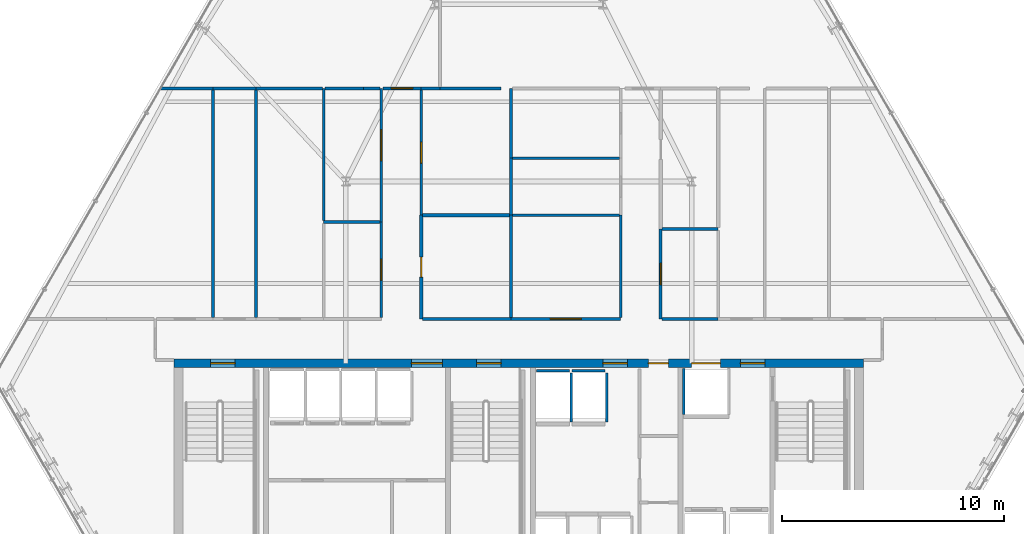
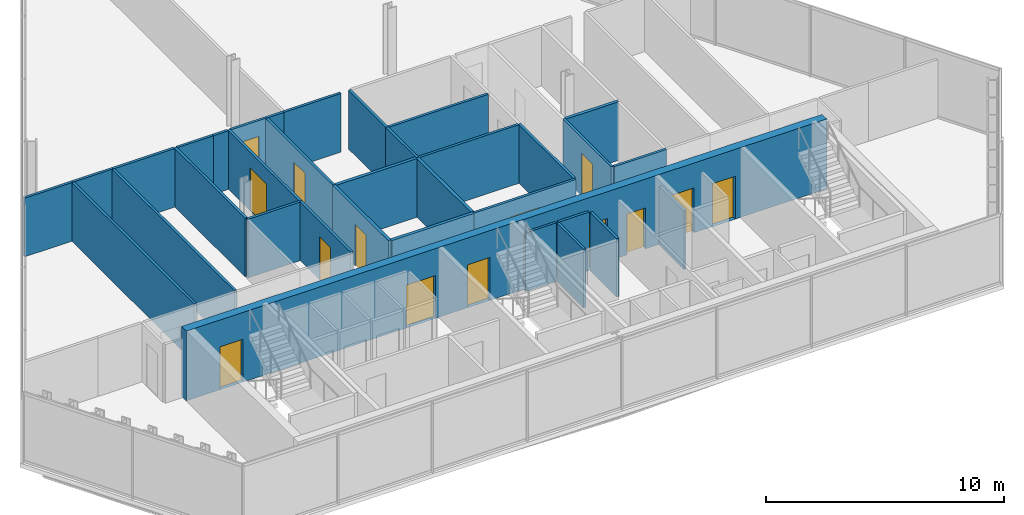
# One storey, part 28 of 33: 34 walls, 14 doors, 14 openings.
"""IFC4 building model written with IfcOpenShell, lengths in metres."""

from ifc_helpers import new_model, si_unit, direction, frame, frame_2d, origin, place, context, subcontext, project, spatial, rectangle, extrude, material, layer, layer_set, type_object, element, fill, save


model = new_model("IFC4")

# Units and contexts
model_context = context("Model", 3, precision=1e-05, world=origin(), true_north=direction((0.0, 1.0)))
body_context = subcontext(model_context, "Body", "Model", "MODEL_VIEW")
ifc_project = project(units=[si_unit("LENGTHUNIT", "METRE"), si_unit("AREAUNIT", "SQUARE_METRE"), si_unit("VOLUMEUNIT", "CUBIC_METRE"), si_unit("PLANEANGLEUNIT", "RADIAN"), si_unit("MASSUNIT", "GRAM", prefix="KILO")], contexts=[model_context])

# Site, building, storey
site_placement = place(None, origin())
site = spatial("IfcSite", under=ifc_project, at=site_placement, CompositionType="ELEMENT")
building_placement = place(site_placement, origin())
building = spatial("IfcBuilding", under=site, at=building_placement, Name="Ndaravel Arena Tower", CompositionType="ELEMENT")
storey_placement = place(building_placement, frame((0.0, 0.0, 165.0)))
storey = spatial("IfcBuildingStorey", under=building, at=storey_placement, Name="L39", CompositionType="ELEMENT", Elevation=165.0)

# Wall, openings, doors
ifc_material_1 = material(Name="Concrete C50/60", Category="concrete")
ifc_layer_1 = layer(ifc_material_1, 0.39990234375)
ifc_layer_set_1 = layer_set([ifc_layer_1], Name="Concrete C50/60")
wall_type_1 = type_object("IfcWallType", Name="WALL-CORE-400", PredefinedType="SOLIDWALL", material=ifc_layer_set_1)
wall_1_placement = place(storey_placement, frame((26.449951171875, 15.0, 0.0), z_axis=(0.0, 0.0, 1.0), x_axis=(1.0, 0.0, 0.0)))
wall_1 = element("IfcWall", 1, at=wall_1_placement, inside=storey, type_object=wall_type_1, Name="L39 Core North Shear Wall", PredefinedType="SOLIDWALL", context=body_context, shape_type="SweptSolid", body=[
    extrude(rectangle(XDim=31.10009765625, YDim=0.39990234375, at=frame_2d((15.550048828125, 0.0))), origin(), (0.0, 0.0, 1.0), 3.580078125),
])
opening_1_placement = place(wall_1_placement, frame((1.64990234375, 0.0, 0.0)))
opening_1 = element("IfcOpeningElement", 2, at=opening_1_placement, cuts=wall_1, Name="Opening FD-01", PredefinedType="OPENING", context=body_context, shape_type="SweptSolid", body=[
    extrude(rectangle(XDim=1.10009765625, YDim=2.199951171875, at=frame_2d((0.550048828125, 1.10009765625))), frame((0.0, 0.199951171875, 0.0), z_axis=(0.0, -1.0, 0.0), x_axis=(1.0, 0.0, 0.0)), (0.0, 0.0, 1.0), 0.39990234375),
])
opening_2_placement = place(wall_1_placement, frame((13.64990234375, 0.0, 0.0)))
opening_2 = element("IfcOpeningElement", 3, at=opening_2_placement, cuts=wall_1, Name="Opening FD-01", PredefinedType="OPENING", context=body_context, shape_type="SweptSolid", body=[
    extrude(rectangle(XDim=1.10009765625, YDim=2.199951171875, at=frame_2d((0.550048828125, 1.10009765625))), frame((0.0, 0.199951171875, 0.0), z_axis=(0.0, -1.0, 0.0), x_axis=(1.0, 0.0, 0.0)), (0.0, 0.0, 1.0), 0.39990234375),
])
opening_3_placement = place(wall_1_placement, frame((25.550048828125, 0.0, 0.0)))
opening_3 = element("IfcOpeningElement", 4, at=opening_3_placement, cuts=wall_1, Name="Opening FD-01", PredefinedType="OPENING", context=body_context, shape_type="SweptSolid", body=[
    extrude(rectangle(XDim=1.10009765625, YDim=2.199951171875, at=frame_2d((0.550048828125, 1.10009765625))), frame((0.0, 0.199951171875, 0.0), z_axis=(0.0, -1.0, 0.0), x_axis=(1.0, 0.0, 0.0)), (0.0, 0.0, 1.0), 0.39990234375),
])
opening_4_placement = place(wall_1_placement, frame((10.699951171875, 0.0, 0.0)))
opening_4 = element("IfcOpeningElement", 5, at=opening_4_placement, cuts=wall_1, Name="Opening ID-02", PredefinedType="OPENING", context=body_context, shape_type="SweptSolid", body=[
    extrude(rectangle(XDim=1.39990234375, YDim=2.199951171875, at=frame_2d((0.699951171875, 1.10009765625))), frame((0.0, 0.199951171875, 0.0), z_axis=(0.0, -1.0, 0.0), x_axis=(1.0, 0.0, 0.0)), (0.0, 0.0, 1.0), 0.39990234375),
])
opening_5_placement = place(wall_1_placement, frame((19.35009765625, 0.0, 0.0)))
opening_5 = element("IfcOpeningElement", 6, at=opening_5_placement, cuts=wall_1, Name="Opening FD-01", PredefinedType="OPENING", context=body_context, shape_type="SweptSolid", body=[
    extrude(rectangle(XDim=1.10009765625, YDim=2.199951171875, at=frame_2d((0.550048828125, 1.10009765625))), frame((0.0, 0.199951171875, 0.0), z_axis=(0.0, -1.0, 0.0), x_axis=(1.0, 0.0, 0.0)), (0.0, 0.0, 1.0), 0.39990234375),
])
opening_6_placement = place(wall_1_placement, frame((21.39990234375, 0.0, 0.0)))
opening_6 = element("IfcOpeningElement", 7, at=opening_6_placement, cuts=wall_1, Name="Opening RD-01", PredefinedType="OPENING", context=body_context, shape_type="SweptSolid", body=[
    extrude(rectangle(XDim=0.89990234375, YDim=2.10009765625, at=frame_2d((0.449951171875, 1.050048828125))), frame((0.0, 0.199951171875, 0.0), z_axis=(0.0, -1.0, 0.0), x_axis=(1.0, 0.0, 0.0)), (0.0, 0.0, 1.0), 0.39990234375),
])
opening_7_placement = place(wall_1_placement, frame((23.35009765625, 0.0, 0.0)))
opening_7 = element("IfcOpeningElement", 8, at=opening_7_placement, cuts=wall_1, Name="Opening LD-02", PredefinedType="OPENING", context=body_context, shape_type="SweptSolid", body=[
    extrude(rectangle(XDim=1.300048828125, YDim=2.300048828125, at=frame_2d((0.64990234375, 1.14990234375))), frame((0.0, 0.199951171875, 0.0), z_axis=(0.0, -1.0, 0.0), x_axis=(1.0, 0.0, 0.0)), (0.0, 0.0, 1.0), 0.39990234375),
])
ifc_material_2 = material(Name="Steel S355", Category="steel")
door_type_1 = type_object("IfcDoorType", Name="DT-01-STAIR-1100", OperationType="SINGLE_SWING_LEFT", PredefinedType="DOOR", material=ifc_material_2)
door_1_placement = place(opening_1_placement, origin())
door_1 = element("IfcDoor", 9, at=door_1_placement, inside=storey, type_object=door_type_1, Name="L39 Exit Stair ST-1 Door", OperationType="SINGLE_SWING_RIGHT", OverallHeight=2.199951171875, OverallWidth=1.10009765625, PredefinedType="DOOR", context=body_context, shape_type="SweptSolid", body=[
    extrude(rectangle(XDim=1.10009765625, YDim=2.199951171875, at=frame_2d((0.550048828125, 1.10009765625))), frame((0.0, 0.02490234375, 0.0), z_axis=(0.0, -1.0, 0.0), x_axis=(1.0, 0.0, 0.0)), (0.0, 0.0, 1.0), 0.050048828125),
])
fill(opening_1, door_1)
door_2_placement = place(opening_2_placement, origin())
door_2 = element("IfcDoor", 10, at=door_2_placement, inside=storey, type_object=door_type_1, Name="L39 Exit Stair ST-2 Door", OperationType="SINGLE_SWING_LEFT", OverallHeight=2.199951171875, OverallWidth=1.10009765625, PredefinedType="DOOR", context=body_context, shape_type="SweptSolid", body=[
    extrude(rectangle(XDim=1.10009765625, YDim=2.199951171875, at=frame_2d((0.550048828125, 1.10009765625))), frame((0.0, 0.02490234375, 0.0), z_axis=(0.0, -1.0, 0.0), x_axis=(1.0, 0.0, 0.0)), (0.0, 0.0, 1.0), 0.050048828125),
])
fill(opening_2, door_2)
door_3_placement = place(opening_3_placement, origin())
door_3 = element("IfcDoor", 11, at=door_3_placement, inside=storey, type_object=door_type_1, Name="L39 Firefighting Lift Lobby Door", OperationType="SINGLE_SWING_RIGHT", OverallHeight=2.199951171875, OverallWidth=1.10009765625, PredefinedType="DOOR", context=body_context, shape_type="SweptSolid", body=[
    extrude(rectangle(XDim=1.10009765625, YDim=2.199951171875, at=frame_2d((0.550048828125, 1.10009765625))), frame((0.0, 0.02490234375, 0.0), z_axis=(0.0, -1.0, 0.0), x_axis=(1.0, 0.0, 0.0)), (0.0, 0.0, 1.0), 0.050048828125),
])
fill(opening_3, door_3)
door_4_placement = place(opening_5_placement, origin())
door_4 = element("IfcDoor", 12, at=door_4_placement, inside=storey, type_object=door_type_1, Name="L39 Express Lift Lobby Entry Door", OperationType="SINGLE_SWING_LEFT", OverallHeight=2.199951171875, OverallWidth=1.10009765625, PredefinedType="DOOR", context=body_context, shape_type="SweptSolid", body=[
    extrude(rectangle(XDim=1.10009765625, YDim=2.199951171875, at=frame_2d((0.550048828125, 1.10009765625))), frame((0.0, 0.02490234375, 0.0), z_axis=(0.0, -1.0, 0.0), x_axis=(1.0, 0.0, 0.0)), (0.0, 0.0, 1.0), 0.050048828125),
])
fill(opening_5, door_4)
ifc_material_3 = material(Name="Timber", Category="wood")
door_type_2 = type_object("IfcDoorType", Name="DT-04-SUITE-1400", OperationType="DOUBLE_DOOR_SINGLE_SWING", PredefinedType="DOOR", material=ifc_material_3)
door_5_placement = place(opening_4_placement, origin())
door_5 = element("IfcDoor", 13, at=door_5_placement, inside=storey, type_object=door_type_2, Name="L39 West Lift Lobby Entry Door", OperationType="DOUBLE_DOOR_SINGLE_SWING", OverallHeight=2.199951171875, OverallWidth=1.39990234375, PredefinedType="DOOR", context=body_context, shape_type="SweptSolid", body=[
    extrude(rectangle(XDim=1.39990234375, YDim=2.199951171875, at=frame_2d((0.699951171875, 1.10009765625))), frame((0.0, 0.02490234375, 0.0), z_axis=(0.0, -1.0, 0.0), x_axis=(1.0, 0.0, 0.0)), (0.0, 0.0, 1.0), 0.050048828125),
])
fill(opening_4, door_5)
ifc_material_4 = material(Name="Steel S355", Category="steel")
door_type_3 = type_object("IfcDoorType", Name="DT-07-SVLIFT-1300", OperationType="DOUBLE_DOOR_SLIDING", PredefinedType="DOOR", material=ifc_material_4)
door_6_placement = place(opening_7_placement, origin())
door_6 = element("IfcDoor", 14, at=door_6_placement, inside=storey, type_object=door_type_3, Name="L39 Lift SVL-1 Sliding Landing Door", OperationType="DOUBLE_DOOR_SLIDING", OverallHeight=2.300048828125, OverallWidth=1.300048828125, PredefinedType="DOOR", context=body_context, shape_type="SweptSolid", body=[
    extrude(rectangle(XDim=1.300048828125, YDim=2.300048828125, at=frame_2d((0.64990234375, 1.14990234375))), frame((0.0, 0.02490234375, 0.0), z_axis=(0.0, -1.0, 0.0), x_axis=(1.0, 0.0, 0.0)), (0.0, 0.0, 1.0), 0.050048828125),
])
fill(opening_7, door_6)
ifc_material_5 = material(Name="Steel S355", Category="steel")
door_type_4 = type_object("IfcDoorType", Name="DT-08-RISER-900", OperationType="SINGLE_SWING_LEFT", PredefinedType="DOOR", material=ifc_material_5)
door_7_placement = place(opening_6_placement, origin())
door_7 = element("IfcDoor", 15, at=door_7_placement, inside=storey, type_object=door_type_4, Name="L39 Core Service Riser North Door", OperationType="SINGLE_SWING_LEFT", OverallHeight=2.10009765625, OverallWidth=0.89990234375, PredefinedType="DOOR", context=body_context, shape_type="SweptSolid", body=[
    extrude(rectangle(XDim=0.89990234375, YDim=2.10009765625, at=frame_2d((0.449951171875, 1.050048828125))), frame((0.0, 0.02490234375, 0.0), z_axis=(0.0, -1.0, 0.0), x_axis=(1.0, 0.0, 0.0)), (0.0, 0.0, 1.0), 0.050048828125),
])
fill(opening_6, door_7)

# Wall, opening, door
ifc_material_6 = material(Name="Gypsum", Category="gypsum")
ifc_layer_2 = layer(ifc_material_6, 0.125)
ifc_layer_set_2 = layer_set([ifc_layer_2], Name="Gypsum")
wall_type_2 = type_object("IfcWallType", Name="WALL-PART-125", PredefinedType="PARTITIONING", material=ifc_layer_set_2)
wall_2_placement = place(storey_placement, frame((35.800048828125, 17.06494140625, 0.0), z_axis=(0.0, 0.0, 1.0), x_axis=(0.0, 1.0, 0.0)))
wall_2 = element("IfcWall", 16, at=wall_2_placement, inside=storey, type_object=wall_type_2, Name="L39 Interior Partition 009", PredefinedType="PARTITIONING", context=body_context, shape_type="SweptSolid", body=[
    extrude(rectangle(XDim=4.302978515625, YDim=0.125, at=frame_2d((2.1513671875, 0.0))), origin(), (0.0, 0.0, 1.0), 3.010498046875),
])
opening_8_placement = place(wall_2_placement, frame((1.676513671875, 0.0, 0.0)))
opening_8 = element("IfcOpeningElement", 17, at=opening_8_placement, cuts=wall_2, Name="Opening ID-01", PredefinedType="OPENING", context=body_context, shape_type="SweptSolid", body=[
    extrude(rectangle(XDim=0.949951171875, YDim=2.199951171875, at=frame_2d((0.47509765625, 1.10009765625))), frame((0.0, 0.0625, 0.0), z_axis=(0.0, -1.0, 0.0), x_axis=(1.0, 0.0, 0.0)), (0.0, 0.0, 1.0), 0.125),
])
ifc_material_7 = material(Name="Timber", Category="wood")
door_type_5 = type_object("IfcDoorType", Name="DT-03-OFFICE-950", OperationType="SINGLE_SWING_LEFT", PredefinedType="DOOR", material=ifc_material_7)
door_8_placement = place(opening_8_placement, origin())
door_8 = element("IfcDoor", 18, at=door_8_placement, inside=storey, type_object=door_type_5, Name="L39 Quiet Reading Library Door", OperationType="SINGLE_SWING_LEFT", OverallHeight=2.199951171875, OverallWidth=0.949951171875, PredefinedType="DOOR", context=body_context, shape_type="SweptSolid", body=[
    extrude(rectangle(XDim=0.949951171875, YDim=2.199951171875, at=frame_2d((0.47509765625, 1.10009765625))), frame((0.0, 0.02490234375, 0.0), z_axis=(0.0, -1.0, 0.0), x_axis=(1.0, 0.0, 0.0)), (0.0, 0.0, 1.0), 0.050048828125),
])
fill(opening_8, door_8)

wall_3_placement = place(storey_placement, frame((35.800048828125, 21.367919921875, 0.0), z_axis=(0.0, 0.0, 1.0), x_axis=(0.0, 1.0, 0.0)))
wall_3 = element("IfcWall", 19, at=wall_3_placement, inside=storey, type_object=wall_type_2, Name="L39 Interior Partition 010", PredefinedType="PARTITIONING", context=body_context, shape_type="SweptSolid", body=[
    extrude(rectangle(XDim=6.031982421875, YDim=0.125, at=frame_2d((3.01611328125, 0.0))), origin(), (0.0, 0.0, 1.0), 3.010498046875),
])
opening_9_placement = place(wall_3_placement, frame((2.76611328125, 0.0, 0.0)))
opening_9 = element("IfcOpeningElement", 20, at=opening_9_placement, cuts=wall_3, Name="Opening ID-02", PredefinedType="OPENING", context=body_context, shape_type="SweptSolid", body=[
    extrude(rectangle(XDim=1.39990234375, YDim=2.199951171875, at=frame_2d((0.699951171875, 1.10009765625))), frame((0.0, 0.0625, 0.0), z_axis=(0.0, -1.0, 0.0), x_axis=(1.0, 0.0, 0.0)), (0.0, 0.0, 1.0), 0.125),
])
door_9_placement = place(opening_9_placement, origin())
door_9 = element("IfcDoor", 21, at=door_9_placement, inside=storey, type_object=door_type_2, Name="L39 Client Conference Room 6 Door", OperationType="SINGLE_SWING_RIGHT", OverallHeight=2.199951171875, OverallWidth=1.39990234375, PredefinedType="DOOR", context=body_context, shape_type="SweptSolid", body=[
    extrude(rectangle(XDim=1.39990234375, YDim=2.199951171875, at=frame_2d((0.699951171875, 1.10009765625))), frame((0.0, 0.02490234375, 0.0), z_axis=(0.0, -1.0, 0.0), x_axis=(1.0, 0.0, 0.0)), (0.0, 0.0, 1.0), 0.050048828125),
])
fill(opening_9, door_9)

wall_4_placement = place(storey_placement, frame((35.864990234375, 27.39990234375, 0.0), z_axis=(0.0, 0.0, 1.0), x_axis=(1.0, 0.0, 0.0)))
wall_4 = element("IfcWall", 22, at=wall_4_placement, inside=storey, type_object=wall_type_2, Name="L39 Interior Partition 011", PredefinedType="PARTITIONING", context=body_context, shape_type="SweptSolid", body=[
    extrude(rectangle(XDim=1.735107421875, YDim=0.125, at=frame_2d((0.86767578125, 0.0))), origin(), (0.0, 0.0, 1.0), 3.010498046875),
])
opening_10_placement = place(wall_4_placement, frame((0.392578125, 0.0, 0.0)))
opening_10 = element("IfcOpeningElement", 23, at=opening_10_placement, cuts=wall_4, Name="Opening ID-01", PredefinedType="OPENING", context=body_context, shape_type="SweptSolid", body=[
    extrude(rectangle(XDim=0.949951171875, YDim=2.199951171875, at=frame_2d((0.47509765625, 1.10009765625))), frame((0.0, 0.0625, 0.0), z_axis=(0.0, -1.0, 0.0), x_axis=(1.0, 0.0, 0.0)), (0.0, 0.0, 1.0), 0.125),
])
door_10_placement = place(opening_10_placement, origin())
door_10 = element("IfcDoor", 24, at=door_10_placement, inside=storey, type_object=door_type_5, Name="L39 Medical First Aid Clinic 7 Door", OperationType="SINGLE_SWING_LEFT", OverallHeight=2.199951171875, OverallWidth=0.949951171875, PredefinedType="DOOR", context=body_context, shape_type="SweptSolid", body=[
    extrude(rectangle(XDim=0.949951171875, YDim=2.199951171875, at=frame_2d((0.47509765625, 1.10009765625))), frame((0.0, 0.02490234375, 0.0), z_axis=(0.0, -1.0, 0.0), x_axis=(1.0, 0.0, 0.0)), (0.0, 0.0, 1.0), 0.050048828125),
])
fill(opening_10, door_10)

wall_5_placement = place(storey_placement, frame((37.60009765625, 27.3349609375, 0.0), z_axis=(0.0, 0.0, 1.0), x_axis=(0.0, -1.0, 0.0)))
wall_5 = element("IfcWall", 25, at=wall_5_placement, inside=storey, type_object=wall_type_2, Name="L39 Interior Partition 012", PredefinedType="PARTITIONING", context=body_context, shape_type="SweptSolid", body=[
    extrude(rectangle(XDim=5.655029296875, YDim=0.125, at=frame_2d((2.82763671875, 0.0))), origin(), (0.0, 0.0, 1.0), 3.010498046875),
])
opening_11_placement = place(wall_5_placement, frame((2.3525390625, 0.0, 0.0)))
opening_11 = element("IfcOpeningElement", 26, at=opening_11_placement, cuts=wall_5, Name="Opening ID-01", PredefinedType="OPENING", context=body_context, shape_type="SweptSolid", body=[
    extrude(rectangle(XDim=0.949951171875, YDim=2.199951171875, at=frame_2d((0.47509765625, 1.10009765625))), frame((0.0, 0.0625, 0.0), z_axis=(0.0, -1.0, 0.0), x_axis=(1.0, 0.0, 0.0)), (0.0, 0.0, 1.0), 0.125),
])
door_11_placement = place(opening_11_placement, origin())
door_11 = element("IfcDoor", 27, at=door_11_placement, inside=storey, type_object=door_type_5, Name="L39 Occupational Consult Room 6 Door", OperationType="SINGLE_SWING_LEFT", OverallHeight=2.199951171875, OverallWidth=0.949951171875, PredefinedType="DOOR", context=body_context, shape_type="SweptSolid", body=[
    extrude(rectangle(XDim=0.949951171875, YDim=2.199951171875, at=frame_2d((0.47509765625, 1.10009765625))), frame((0.0, 0.02490234375, 0.0), z_axis=(0.0, -1.0, 0.0), x_axis=(1.0, 0.0, 0.0)), (0.0, 0.0, 1.0), 0.050048828125),
])
fill(opening_11, door_11)

wall_6_placement = place(storey_placement, frame((41.64990234375, 17.0, 0.0), z_axis=(0.0, 0.0, 1.0), x_axis=(1.0, 0.0, 0.0)))
wall_6 = element("IfcWall", 28, at=wall_6_placement, inside=storey, type_object=wall_type_2, Name="L39 Interior Partition 015", PredefinedType="PARTITIONING", context=body_context, shape_type="SweptSolid", body=[
    extrude(rectangle(XDim=4.9501953125, YDim=0.125, at=frame_2d((2.47509765625, 0.0))), origin(), (0.0, 0.0, 1.0), 3.010498046875),
])
opening_12_placement = place(wall_6_placement, frame((1.77490234375, 0.0, 0.0)))
opening_12 = element("IfcOpeningElement", 29, at=opening_12_placement, cuts=wall_6, Name="Opening ID-02", PredefinedType="OPENING", context=body_context, shape_type="SweptSolid", body=[
    extrude(rectangle(XDim=1.39990234375, YDim=2.199951171875, at=frame_2d((0.699951171875, 1.10009765625))), frame((0.0, 0.0625, 0.0), z_axis=(0.0, -1.0, 0.0), x_axis=(1.0, 0.0, 0.0)), (0.0, 0.0, 1.0), 0.125),
])
door_12_placement = place(opening_12_placement, origin())
door_12 = element("IfcDoor", 30, at=door_12_placement, inside=storey, type_object=door_type_2, Name="L39 Client Conference Room 2 Door", OperationType="SINGLE_SWING_LEFT", OverallHeight=2.199951171875, OverallWidth=1.39990234375, PredefinedType="DOOR", context=body_context, shape_type="SweptSolid", body=[
    extrude(rectangle(XDim=1.39990234375, YDim=2.199951171875, at=frame_2d((0.699951171875, 1.10009765625))), frame((0.0, 0.02490234375, 0.0), z_axis=(0.0, -1.0, 0.0), x_axis=(1.0, 0.0, 0.0)), (0.0, 0.0, 1.0), 0.050048828125),
])
fill(opening_12, door_12)

# Wall
wall_7_placement = place(storey_placement, frame((46.60009765625, 17.06494140625, 0.0), z_axis=(0.0, 0.0, 1.0), x_axis=(0.0, 1.0, 0.0)))
element("IfcWall", 31, at=wall_7_placement, inside=storey, type_object=wall_type_2, Name="L39 Interior Partition 016", PredefinedType="PARTITIONING", context=body_context, shape_type="SweptSolid", body=[
    extrude(rectangle(XDim=4.614990234375, YDim=0.125, at=frame_2d((2.3076171875, 0.0))), origin(), (0.0, 0.0, 1.0), 3.010498046875),
])

# Wall, opening, door
wall_8_placement = place(storey_placement, frame((48.39990234375, 21.055908203125, 0.0), z_axis=(0.0, 0.0, 1.0), x_axis=(0.0, -1.0, 0.0)))
wall_8 = element("IfcWall", 32, at=wall_8_placement, inside=storey, type_object=wall_type_2, Name="L39 Interior Partition 021", PredefinedType="PARTITIONING", context=body_context, shape_type="SweptSolid", body=[
    extrude(rectangle(XDim=4.055908203125, YDim=0.125, at=frame_2d((2.02783203125, 0.0))), origin(), (0.0, 0.0, 1.0), 3.010498046875),
])
opening_13_placement = place(wall_8_placement, frame((1.552978515625, 0.0, 0.0)))
opening_13 = element("IfcOpeningElement", 33, at=opening_13_placement, cuts=wall_8, Name="Opening ID-01", PredefinedType="OPENING", context=body_context, shape_type="SweptSolid", body=[
    extrude(rectangle(XDim=0.949951171875, YDim=2.199951171875, at=frame_2d((0.47509765625, 1.10009765625))), frame((0.0, 0.0625, 0.0), z_axis=(0.0, -1.0, 0.0), x_axis=(1.0, 0.0, 0.0)), (0.0, 0.0, 1.0), 0.125),
])
door_13_placement = place(opening_13_placement, origin())
door_13 = element("IfcDoor", 34, at=door_13_placement, inside=storey, type_object=door_type_5, Name="L39 Open Plan Workplace Door", OperationType="SINGLE_SWING_RIGHT", OverallHeight=2.199951171875, OverallWidth=0.949951171875, PredefinedType="DOOR", context=body_context, shape_type="SweptSolid", body=[
    extrude(rectangle(XDim=0.949951171875, YDim=2.199951171875, at=frame_2d((0.47509765625, 1.10009765625))), frame((0.0, 0.02490234375, 0.0), z_axis=(0.0, -1.0, 0.0), x_axis=(1.0, 0.0, 0.0)), (0.0, 0.0, 1.0), 0.050048828125),
])
fill(opening_13, door_13)

# Walls
wall_9_placement = place(storey_placement, frame((48.465087890625, 17.0, 0.0), z_axis=(0.0, 0.0, 1.0), x_axis=(1.0, 0.0, 0.0)))
element("IfcWall", 35, at=wall_9_placement, inside=storey, type_object=wall_type_2, Name="L39 Interior Partition 022", PredefinedType="PARTITIONING", context=body_context, shape_type="SweptSolid", body=[
    extrude(rectangle(XDim=2.534912109375, YDim=0.125, at=frame_2d((1.267578125, 0.0))), origin(), (0.0, 0.0, 1.0), 3.010498046875),
])
wall_10_placement = place(storey_placement, frame((33.199951171875, 21.367919921875, 0.0), z_axis=(0.0, 0.0, 1.0), x_axis=(1.0, 0.0, 0.0)))
element("IfcWall", 36, at=wall_10_placement, inside=storey, type_object=wall_type_2, Name="L39 Interior Partition 032", PredefinedType="PARTITIONING", context=body_context, shape_type="SweptSolid", body=[
    extrude(rectangle(XDim=2.53515625, YDim=0.125, at=frame_2d((1.267578125, 0.0))), origin(), (0.0, 0.0, 1.0), 3.010498046875),
])
wall_11_placement = place(storey_placement, frame((41.715087890625, 21.679931640625, 0.0), z_axis=(0.0, 0.0, 1.0), x_axis=(1.0, 0.0, 0.0)))
element("IfcWall", 37, at=wall_11_placement, inside=storey, type_object=wall_type_2, Name="L39 Interior Partition 036", PredefinedType="PARTITIONING", context=body_context, shape_type="SweptSolid", body=[
    extrude(rectangle(XDim=4.81982421875, YDim=0.125, at=frame_2d((2.409912109375, 0.0))), origin(), (0.0, 0.0, 1.0), 3.010498046875),
])
wall_12_placement = place(storey_placement, frame((25.83984375, 27.39990234375, 0.0), z_axis=(0.0, 0.0, 1.0), x_axis=(1.0, 0.0, 0.0)))
element("IfcWall", 38, at=wall_12_placement, inside=storey, type_object=wall_type_2, Name="L39 Interior Partition 039", PredefinedType="PARTITIONING", context=body_context, shape_type="SweptSolid", body=[
    extrude(rectangle(XDim=2.360107421875, YDim=0.125, at=frame_2d((1.18017578125, 0.0))), origin(), (0.0, 0.0, 1.0), 3.010498046875),
])
wall_13_placement = place(storey_placement, frame((28.199951171875, 27.3349609375, 0.0), z_axis=(0.0, 0.0, 1.0), x_axis=(0.0, -1.0, 0.0)))
element("IfcWall", 39, at=wall_13_placement, inside=storey, type_object=wall_type_2, Name="L39 Interior Partition 040", PredefinedType="PARTITIONING", context=body_context, shape_type="SweptSolid", body=[
    extrude(rectangle(XDim=10.27001953125, YDim=0.125, at=frame_2d((5.135009765625, 0.0))), origin(), (0.0, 0.0, 1.0), 3.010498046875),
])
wall_14_placement = place(storey_placement, frame((28.199951171875, 27.39990234375, 0.0), z_axis=(0.0, 0.0, 1.0), x_axis=(1.0, 0.0, 0.0)))
element("IfcWall", 40, at=wall_14_placement, inside=storey, type_object=wall_type_2, Name="L39 Interior Partition 041", PredefinedType="PARTITIONING", context=body_context, shape_type="SweptSolid", body=[
    extrude(rectangle(XDim=1.949951171875, YDim=0.125, at=frame_2d((0.97509765625, 0.0))), origin(), (0.0, 0.0, 1.0), 3.010498046875),
])
wall_15_placement = place(storey_placement, frame((30.14990234375, 27.3349609375, 0.0), z_axis=(0.0, 0.0, 1.0), x_axis=(0.0, -1.0, 0.0)))
element("IfcWall", 41, at=wall_15_placement, inside=storey, type_object=wall_type_2, Name="L39 Interior Partition 042", PredefinedType="PARTITIONING", context=body_context, shape_type="SweptSolid", body=[
    extrude(rectangle(XDim=10.27001953125, YDim=0.125, at=frame_2d((5.135009765625, 0.0))), origin(), (0.0, 0.0, 1.0), 3.010498046875),
])
wall_16_placement = place(storey_placement, frame((33.199951171875, 27.39990234375, 0.0), z_axis=(0.0, 0.0, 1.0), x_axis=(0.0, -1.0, 0.0)))
element("IfcWall", 42, at=wall_16_placement, inside=storey, type_object=wall_type_2, Name="L39 Interior Partition 043", PredefinedType="PARTITIONING", context=body_context, shape_type="SweptSolid", body=[
    extrude(rectangle(XDim=5.966796875, YDim=0.125, at=frame_2d((2.9833984375, 0.0))), origin(), (0.0, 0.0, 1.0), 3.010498046875),
])
wall_17_placement = place(storey_placement, frame((30.14990234375, 27.39990234375, 0.0), z_axis=(0.0, 0.0, 1.0), x_axis=(1.0, 0.0, 0.0)))
element("IfcWall", 43, at=wall_17_placement, inside=storey, type_object=wall_type_2, Name="L39 Interior Partition 044", PredefinedType="PARTITIONING", context=body_context, shape_type="SweptSolid", body=[
    extrude(rectangle(XDim=2.985107421875, YDim=0.125, at=frame_2d((1.49267578125, 0.0))), origin(), (0.0, 0.0, 1.0), 3.010498046875),
])
wall_18_placement = place(storey_placement, frame((41.64990234375, 21.679931640625, 0.0), z_axis=(0.0, 0.0, 1.0), x_axis=(0.0, 1.0, 0.0)))
element("IfcWall", 44, at=wall_18_placement, inside=storey, type_object=wall_type_2, Name="L39 Interior Partition 049", PredefinedType="PARTITIONING", context=body_context, shape_type="SweptSolid", body=[
    extrude(rectangle(XDim=2.573974609375, YDim=0.125, at=frame_2d((1.287109375, 0.0))), origin(), (0.0, 0.0, 1.0), 3.010498046875),
])
wall_19_placement = place(storey_placement, frame((41.715087890625, 24.25390625, 0.0), z_axis=(0.0, 0.0, 1.0), x_axis=(1.0, 0.0, 0.0)))
element("IfcWall", 45, at=wall_19_placement, inside=storey, type_object=wall_type_2, Name="L39 Interior Partition 050", PredefinedType="PARTITIONING", context=body_context, shape_type="SweptSolid", body=[
    extrude(rectangle(XDim=4.81982421875, YDim=0.125, at=frame_2d((2.409912109375, 0.0))), origin(), (0.0, 0.0, 1.0), 3.010498046875),
])
wall_20_placement = place(storey_placement, frame((33.264892578125, 27.39990234375, 0.0), z_axis=(0.0, 0.0, 1.0), x_axis=(1.0, 0.0, 0.0)))
element("IfcWall", 46, at=wall_20_placement, inside=storey, type_object=wall_type_2, Name="L39 Interior Partition 052", PredefinedType="PARTITIONING", context=body_context, shape_type="SweptSolid", body=[
    extrude(rectangle(XDim=1.735107421875, YDim=0.125, at=frame_2d((0.86767578125, 0.0))), origin(), (0.0, 0.0, 1.0), 3.010498046875),
])
wall_21_placement = place(storey_placement, frame((35.0, 27.39990234375, 0.0), z_axis=(0.0, 0.0, 1.0), x_axis=(1.0, 0.0, 0.0)))
element("IfcWall", 47, at=wall_21_placement, inside=storey, type_object=wall_type_2, Name="L39 Interior Partition 053", PredefinedType="PARTITIONING", context=body_context, shape_type="SweptSolid", body=[
    extrude(rectangle(XDim=0.735107421875, YDim=0.125, at=frame_2d((0.36767578125, 0.0))), origin(), (0.0, 0.0, 1.0), 3.010498046875),
])
wall_22_placement = place(storey_placement, frame((41.64990234375, 27.39990234375, 0.0), z_axis=(0.0, 0.0, 1.0), x_axis=(0.0, -1.0, 0.0)))
element("IfcWall", 48, at=wall_22_placement, inside=storey, type_object=wall_type_2, Name="L39 Interior Partition 054", PredefinedType="PARTITIONING", context=body_context, shape_type="SweptSolid", body=[
    extrude(rectangle(XDim=3.14599609375, YDim=0.125, at=frame_2d((1.572998046875, 0.0))), origin(), (0.0, 0.0, 1.0), 3.010498046875),
])
wall_23_placement = place(storey_placement, frame((37.60009765625, 27.39990234375, 0.0), z_axis=(0.0, 0.0, 1.0), x_axis=(1.0, 0.0, 0.0)))
element("IfcWall", 49, at=wall_23_placement, inside=storey, type_object=wall_type_2, Name="L39 Interior Partition 055", PredefinedType="PARTITIONING", context=body_context, shape_type="SweptSolid", body=[
    extrude(rectangle(XDim=0.8447265625, YDim=0.125, at=frame_2d((0.42236328125, 0.0))), origin(), (0.0, 0.0, 1.0), 3.010498046875),
])
wall_24_placement = place(storey_placement, frame((38.44482421875, 27.39990234375, 0.0), z_axis=(0.0, 0.0, 1.0), x_axis=(1.0, 0.0, 0.0)))
element("IfcWall", 50, at=wall_24_placement, inside=storey, type_object=wall_type_2, Name="L39 Interior Partition 056", PredefinedType="PARTITIONING", context=body_context, shape_type="SweptSolid", body=[
    extrude(rectangle(XDim=2.755126953125, YDim=0.125, at=frame_2d((1.37744140625, 0.0))), origin(), (0.0, 0.0, 1.0), 3.010498046875),
])
ifc_material_8 = material(Name="Concrete C40/50", Category="concrete")
ifc_layer_3 = layer(ifc_material_8, 0.1201171875)
ifc_layer_set_3 = layer_set([ifc_layer_3], Name="Concrete C40/50")
wall_type_3 = type_object("IfcWallType", Name="WALL-SHAFT-120", PredefinedType="SOLIDWALL", material=ifc_layer_set_3)
wall_25_placement = place(storey_placement, frame((42.804931640625, 14.659912109375, 0.0), z_axis=(0.0, 0.0, 1.0), x_axis=(1.0, 0.0, 0.0)))
element("IfcWall", 51, at=wall_25_placement, inside=storey, type_object=wall_type_3, Name="L39 PL-OBS1 Shaft Rear Wall", PredefinedType="SOLIDWALL", context=body_context, shape_type="SweptSolid", body=[
    extrude(rectangle(XDim=1.489990234375, YDim=0.1201171875, at=frame_2d((0.7451171875, 0.0))), origin(), (0.0, 0.0, 1.0), 3.010498046875),
])
wall_26_placement = place(storey_placement, frame((44.375, 12.340087890625, 0.0), z_axis=(0.0, 0.0, 1.0), x_axis=(0.0, 1.0, 0.0)))
element("IfcWall", 52, at=wall_26_placement, inside=storey, type_object=wall_type_3, Name="L39 PL-OBS1 Shaft Side R Wall", PredefinedType="SOLIDWALL", context=body_context, shape_type="SweptSolid", body=[
    extrude(rectangle(XDim=2.22998046875, YDim=0.1201171875, at=frame_2d((1.114990234375, 0.0))), origin(), (0.0, 0.0, 1.0), 3.010498046875),
])
wall_27_placement = place(storey_placement, frame((44.405029296875, 14.659912109375, 0.0), z_axis=(0.0, 0.0, 1.0), x_axis=(1.0, 0.0, 0.0)))
element("IfcWall", 53, at=wall_27_placement, inside=storey, type_object=wall_type_3, Name="L39 PL-OBS2 Shaft Rear Wall", PredefinedType="SOLIDWALL", context=body_context, shape_type="SweptSolid", body=[
    extrude(rectangle(XDim=1.489990234375, YDim=0.1201171875, at=frame_2d((0.7451171875, 0.0))), origin(), (0.0, 0.0, 1.0), 3.010498046875),
])
wall_28_placement = place(storey_placement, frame((45.97509765625, 12.340087890625, 0.0), z_axis=(0.0, 0.0, 1.0), x_axis=(0.0, 1.0, 0.0)))
element("IfcWall", 54, at=wall_28_placement, inside=storey, type_object=wall_type_3, Name="L39 PL-OBS2 Shaft Side R Wall", PredefinedType="SOLIDWALL", context=body_context, shape_type="SweptSolid", body=[
    extrude(rectangle(XDim=2.22998046875, YDim=0.1201171875, at=frame_2d((1.114990234375, 0.0))), origin(), (0.0, 0.0, 1.0), 3.010498046875),
])
wall_29_placement = place(storey_placement, frame((49.43994140625, 12.68994140625, 0.0), z_axis=(0.0, 0.0, 1.0), x_axis=(0.0, 1.0, 0.0)))
element("IfcWall", 55, at=wall_29_placement, inside=storey, type_object=wall_type_3, Name="L39 SVL-1 Shaft W Wall", PredefinedType="SOLIDWALL", context=body_context, shape_type="SweptSolid", body=[
    extrude(rectangle(XDim=2.070068359375, YDim=0.1201171875, at=frame_2d((1.03515625, 0.0))), origin(), (0.0, 0.0, 1.0), 3.010498046875),
])

# Wall, opening, door
ifc_material_9 = material(Name="Masonry", Category="masonry")
ifc_layer_4 = layer(ifc_material_9, 0.14990234375)
ifc_layer_set_4 = layer_set([ifc_layer_4], Name="Masonry")
wall_type_4 = type_object("IfcWallType", Name="WALL-WET-150", PredefinedType="PARTITIONING", material=ifc_layer_set_4)
wall_30_placement = place(storey_placement, frame((37.60009765625, 21.679931640625, 0.0), z_axis=(0.0, 0.0, 1.0), x_axis=(0.0, -1.0, 0.0)))
wall_30 = element("IfcWall", 56, at=wall_30_placement, inside=storey, type_object=wall_type_4, Name="L39 Interior Partition 013", PredefinedType="PARTITIONING", context=body_context, shape_type="SweptSolid", body=[
    extrude(rectangle(XDim=4.679931640625, YDim=0.14990234375, at=frame_2d((2.33984375, 0.0))), origin(), (0.0, 0.0, 1.0), 3.010498046875),
])
opening_14_placement = place(wall_30_placement, frame((1.889892578125, 0.0, 0.0)))
opening_14 = element("IfcOpeningElement", 57, at=opening_14_placement, cuts=wall_30, Name="Opening WD-01", PredefinedType="OPENING", context=body_context, shape_type="SweptSolid", body=[
    extrude(rectangle(XDim=0.89990234375, YDim=2.14990234375, at=frame_2d((0.449951171875, 1.074951171875))), frame((0.0, 0.074951171875, 0.0), z_axis=(0.0, -1.0, 0.0), x_axis=(1.0, 0.0, 0.0)), (0.0, 0.0, 1.0), 0.14990234375),
])
ifc_material_10 = material(Name="Timber", Category="wood")
door_type_6 = type_object("IfcDoorType", Name="DT-05-WC-900", OperationType="SINGLE_SWING_LEFT", PredefinedType="DOOR", material=ifc_material_10)
door_14_placement = place(opening_14_placement, origin())
door_14 = element("IfcDoor", 58, at=door_14_placement, inside=storey, type_object=door_type_6, Name="L39 Male Staff & Visitor Restroom Door", OperationType="SINGLE_SWING_RIGHT", OverallHeight=2.14990234375, OverallWidth=0.89990234375, PredefinedType="DOOR", context=body_context, shape_type="SweptSolid", body=[
    extrude(rectangle(XDim=0.89990234375, YDim=2.14990234375, at=frame_2d((0.449951171875, 1.074951171875))), frame((0.0, 0.02490234375, 0.0), z_axis=(0.0, -1.0, 0.0), x_axis=(1.0, 0.0, 0.0)), (0.0, 0.0, 1.0), 0.050048828125),
])
fill(opening_14, door_14)

# Walls
wall_31_placement = place(storey_placement, frame((37.6650390625, 17.0, 0.0), z_axis=(0.0, 0.0, 1.0), x_axis=(1.0, 0.0, 0.0)))
element("IfcWall", 59, at=wall_31_placement, inside=storey, type_object=wall_type_4, Name="L39 Interior Partition 014", PredefinedType="PARTITIONING", context=body_context, shape_type="SweptSolid", body=[
    extrude(rectangle(XDim=3.98486328125, YDim=0.14990234375, at=frame_2d((1.992431640625, 0.0))), origin(), (0.0, 0.0, 1.0), 3.010498046875),
])
wall_32_placement = place(storey_placement, frame((48.465087890625, 21.055908203125, 0.0), z_axis=(0.0, 0.0, 1.0), x_axis=(1.0, 0.0, 0.0)))
element("IfcWall", 60, at=wall_32_placement, inside=storey, type_object=wall_type_4, Name="L39 Interior Partition 030", PredefinedType="PARTITIONING", context=body_context, shape_type="SweptSolid", body=[
    extrude(rectangle(XDim=2.534912109375, YDim=0.14990234375, at=frame_2d((1.267578125, 0.0))), origin(), (0.0, 0.0, 1.0), 3.010498046875),
])
wall_33_placement = place(storey_placement, frame((41.64990234375, 21.679931640625, 0.0), z_axis=(0.0, 0.0, 1.0), x_axis=(0.0, -1.0, 0.0)))
element("IfcWall", 61, at=wall_33_placement, inside=storey, type_object=wall_type_4, Name="L39 Interior Partition 034", PredefinedType="PARTITIONING", context=body_context, shape_type="SweptSolid", body=[
    extrude(rectangle(XDim=4.614990234375, YDim=0.14990234375, at=frame_2d((2.3076171875, 0.0))), origin(), (0.0, 0.0, 1.0), 3.010498046875),
])
wall_34_placement = place(storey_placement, frame((37.6650390625, 21.679931640625, 0.0), z_axis=(0.0, 0.0, 1.0), x_axis=(1.0, 0.0, 0.0)))
element("IfcWall", 62, at=wall_34_placement, inside=storey, type_object=wall_type_4, Name="L39 Interior Partition 035", PredefinedType="PARTITIONING", context=body_context, shape_type="SweptSolid", body=[
    extrude(rectangle(XDim=3.919921875, YDim=0.14990234375, at=frame_2d((1.9599609375, 0.0))), origin(), (0.0, 0.0, 1.0), 3.010498046875),
])

save(model, "model.ifc")
